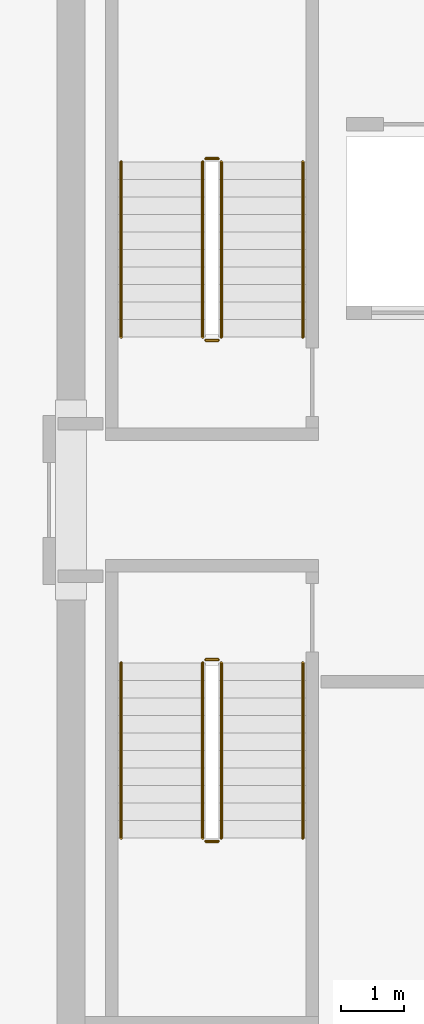
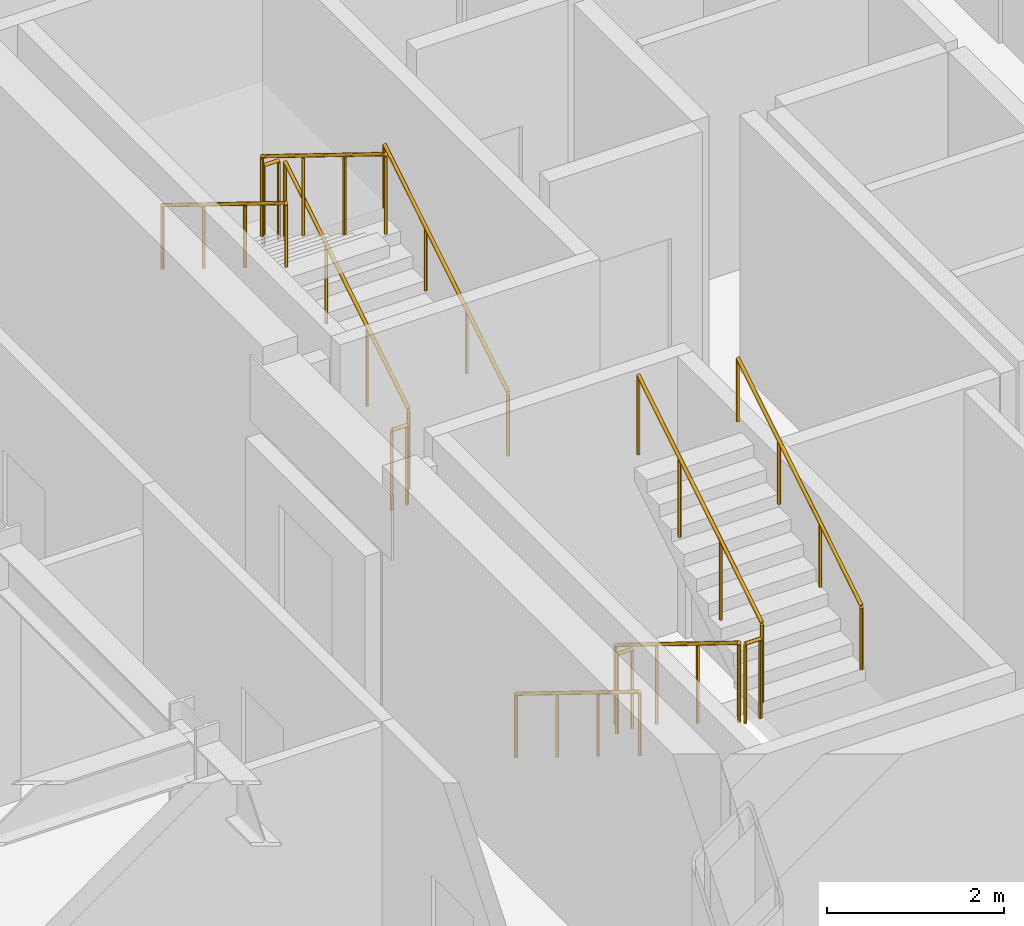
# One storey, part 16 of 18: 12 railings.
"""IFC4 building model written with IfcOpenShell, lengths in metres."""

from ifc_helpers import new_model, si_unit, direction, frame, origin, origin_2d, place, context, subcontext, project, spatial, circle, extrude, material, type_object, element, save


model = new_model("IFC4")

# Units and contexts
model_context = context("Model", 3, precision=1e-05, world=origin(), true_north=direction((0.0, 1.0)))
body_context = subcontext(model_context, "Body", "Model", "MODEL_VIEW")
ifc_project = project(units=[si_unit("LENGTHUNIT", "METRE"), si_unit("AREAUNIT", "SQUARE_METRE"), si_unit("VOLUMEUNIT", "CUBIC_METRE"), si_unit("PLANEANGLEUNIT", "RADIAN"), si_unit("MASSUNIT", "GRAM", prefix="KILO")], contexts=[model_context])

# Site, building, storey
site_placement = place(None, origin())
site = spatial("IfcSite", under=ifc_project, at=site_placement, CompositionType="ELEMENT")
building_placement = place(site_placement, origin())
building = spatial("IfcBuilding", under=site, at=building_placement, Name="Nefas-Gora Pilgrimage Tower", CompositionType="ELEMENT")
storey_placement = place(building_placement, frame((0.0, 0.0, 298.800048828125)))
storey = spatial("IfcBuildingStorey", under=building, at=storey_placement, Name="L75", CompositionType="ELEMENT", Elevation=298.800048828125)

# Railings
ifc_material_1 = material(Name="Painted galvanised steel", Category="steel")
railing_type_1 = type_object("IfcRailingType", Name="RLG-STR-GUARD-1100", PredefinedType="GUARDRAIL", material=ifc_material_1)
railing_1_placement = place(storey_placement, frame((-8.85009765625, 2.60009765625, 0.172607421875)))
element("IfcRailing", 1, at=railing_1_placement, inside=storey, type_object=railing_type_1, Name="L75 ST-01 stair guard 1", PredefinedType="GUARDRAIL", context=body_context, shape_type="SweptSolid", body=[
    extrude(circle(Radius=0.02392578125, at=origin_2d()), frame((0.0, 0.0, 1.09619140625), z_axis=(0.0, 0.851069175582, 0.525053576669), x_axis=(-1.0, 0.0, 0.0)), (0.0, 0.0, 1.0), 3.289794921875),
    extrude(circle(Radius=0.02099609375, at=origin_2d()), origin(), (0.0, 0.0, 1.0), 1.072021484375),
    extrude(circle(Radius=0.02099609375, at=origin_2d()), frame((0.0, 0.933349609375, 0.57568359375)), (0.0, 0.0, 1.0), 1.072021484375),
    extrude(circle(Radius=0.02099609375, at=origin_2d()), frame((0.0, 1.866455078125, 1.151611328125)), (0.0, 0.0, 1.0), 1.072021484375),
    extrude(circle(Radius=0.02099609375, at=origin_2d()), frame((0.0, 2.7998046875, 1.727294921875)), (0.0, 0.0, 1.0), 1.072021484375),
])
railing_2_placement = place(storey_placement, frame((-8.89990234375, 5.449951171875, 1.89990234375)))
element("IfcRailing", 2, at=railing_2_placement, inside=storey, type_object=railing_type_1, Name="L75 ST-01 stair guard 2", PredefinedType="GUARDRAIL", context=body_context, shape_type="SweptSolid", body=[
    extrude(circle(Radius=0.02392578125, at=origin_2d()), frame((0.0, 0.0, 1.09619140625), z_axis=(-1.0, 0.0, 0.0), x_axis=(0.0, -1.0, 0.0)), (0.0, 0.0, 1.0), 0.2001953125),
    extrude(circle(Radius=0.02099609375, at=origin_2d()), origin(), (0.0, 0.0, 1.0), 1.072021484375),
    extrude(circle(Radius=0.02099609375, at=origin_2d()), frame((-0.2001953125, 0.0, 0.0)), (0.0, 0.0, 1.0), 1.072021484375),
])
railing_3_placement = place(storey_placement, frame((-9.14990234375, 5.39990234375, 2.07275390625)))
element("IfcRailing", 3, at=railing_3_placement, inside=storey, type_object=railing_type_1, Name="L75 ST-01 stair guard 3", PredefinedType="GUARDRAIL", context=body_context, shape_type="SweptSolid", body=[
    extrude(circle(Radius=0.02392578125, at=origin_2d()), frame((0.0, 0.0, 1.09619140625), z_axis=(0.0, -0.851069175582, 0.525053576669), x_axis=(1.0, 0.0, 0.0)), (0.0, 0.0, 1.0), 3.289794921875),
    extrude(circle(Radius=0.02099609375, at=origin_2d()), origin(), (0.0, 0.0, 1.0), 1.072021484375),
    extrude(circle(Radius=0.02099609375, at=origin_2d()), frame((0.0, -0.933349609375, 0.57568359375)), (0.0, 0.0, 1.0), 1.072021484375),
    extrude(circle(Radius=0.02099609375, at=origin_2d()), frame((0.0, -1.866455078125, 1.151611328125)), (0.0, 0.0, 1.0), 1.072021484375),
    extrude(circle(Radius=0.02099609375, at=origin_2d()), frame((0.0, -2.7998046875, 1.727294921875)), (0.0, 0.0, 1.0), 1.072021484375),
])
railing_4_placement = place(storey_placement, frame((-8.89990234375, 2.550048828125, 0.0)))
element("IfcRailing", 4, at=railing_4_placement, inside=storey, type_object=railing_type_1, Name="L75 ST-01 stair guard 4", PredefinedType="GUARDRAIL", context=body_context, shape_type="SweptSolid", body=[
    extrude(circle(Radius=0.02392578125, at=origin_2d()), frame((0.0, 0.0, 1.09619140625), z_axis=(-1.0, 0.0, 0.0), x_axis=(0.0, -1.0, 0.0)), (0.0, 0.0, 1.0), 0.2001953125),
    extrude(circle(Radius=0.02099609375, at=origin_2d()), origin(), (0.0, 0.0, 1.0), 1.072021484375),
    extrude(circle(Radius=0.02099609375, at=origin_2d()), frame((-0.2001953125, 0.0, 0.0)), (0.0, 0.0, 1.0), 1.072021484375),
])
railing_5_placement = place(storey_placement, frame((-9.14990234375, -2.60009765625, 0.172607421875)))
element("IfcRailing", 5, at=railing_5_placement, inside=storey, type_object=railing_type_1, Name="L75 ST-03 stair guard 1", PredefinedType="GUARDRAIL", context=body_context, shape_type="SweptSolid", body=[
    extrude(circle(Radius=0.02392578125, at=origin_2d()), frame((0.0, 0.0, 1.09619140625), z_axis=(0.0, -0.851069175582, 0.525053576669), x_axis=(1.0, 0.0, 0.0)), (0.0, 0.0, 1.0), 3.289794921875),
    extrude(circle(Radius=0.02099609375, at=origin_2d()), origin(), (0.0, 0.0, 1.0), 1.072021484375),
    extrude(circle(Radius=0.02099609375, at=origin_2d()), frame((0.0, -0.933349609375, 0.57568359375)), (0.0, 0.0, 1.0), 1.072021484375),
    extrude(circle(Radius=0.02099609375, at=origin_2d()), frame((0.0, -1.866455078125, 1.151611328125)), (0.0, 0.0, 1.0), 1.072021484375),
    extrude(circle(Radius=0.02099609375, at=origin_2d()), frame((0.0, -2.7998046875, 1.727294921875)), (0.0, 0.0, 1.0), 1.072021484375),
])
railing_6_placement = place(storey_placement, frame((-9.10009765625, -5.449951171875, 1.89990234375)))
element("IfcRailing", 6, at=railing_6_placement, inside=storey, type_object=railing_type_1, Name="L75 ST-03 stair guard 2", PredefinedType="GUARDRAIL", context=body_context, shape_type="SweptSolid", body=[
    extrude(circle(Radius=0.02392578125, at=origin_2d()), frame((0.0, 0.0, 1.09619140625), z_axis=(1.0, 0.0, 0.0), x_axis=(0.0, 1.0, 0.0)), (0.0, 0.0, 1.0), 0.2001953125),
    extrude(circle(Radius=0.02099609375, at=origin_2d()), origin(), (0.0, 0.0, 1.0), 1.072021484375),
    extrude(circle(Radius=0.02099609375, at=origin_2d()), frame((0.2001953125, 0.0, 0.0)), (0.0, 0.0, 1.0), 1.072021484375),
])
railing_7_placement = place(storey_placement, frame((-8.85009765625, -5.39990234375, 2.07275390625)))
element("IfcRailing", 7, at=railing_7_placement, inside=storey, type_object=railing_type_1, Name="L75 ST-03 stair guard 3", PredefinedType="GUARDRAIL", context=body_context, shape_type="SweptSolid", body=[
    extrude(circle(Radius=0.02392578125, at=origin_2d()), frame((0.0, 0.0, 1.09619140625), z_axis=(0.0, 0.851069175582, 0.525053576669), x_axis=(-1.0, 0.0, 0.0)), (0.0, 0.0, 1.0), 3.289794921875),
    extrude(circle(Radius=0.02099609375, at=origin_2d()), origin(), (0.0, 0.0, 1.0), 1.072021484375),
    extrude(circle(Radius=0.02099609375, at=origin_2d()), frame((0.0, 0.933349609375, 0.57568359375)), (0.0, 0.0, 1.0), 1.072021484375),
    extrude(circle(Radius=0.02099609375, at=origin_2d()), frame((0.0, 1.866455078125, 1.151611328125)), (0.0, 0.0, 1.0), 1.072021484375),
    extrude(circle(Radius=0.02099609375, at=origin_2d()), frame((0.0, 2.7998046875, 1.727294921875)), (0.0, 0.0, 1.0), 1.072021484375),
])
railing_8_placement = place(storey_placement, frame((-9.10009765625, -2.550048828125, 0.0)))
element("IfcRailing", 8, at=railing_8_placement, inside=storey, type_object=railing_type_1, Name="L75 ST-03 stair guard 4", PredefinedType="GUARDRAIL", context=body_context, shape_type="SweptSolid", body=[
    extrude(circle(Radius=0.02392578125, at=origin_2d()), frame((0.0, 0.0, 1.09619140625), z_axis=(1.0, 0.0, 0.0), x_axis=(0.0, 1.0, 0.0)), (0.0, 0.0, 1.0), 0.2001953125),
    extrude(circle(Radius=0.02099609375, at=origin_2d()), origin(), (0.0, 0.0, 1.0), 1.072021484375),
    extrude(circle(Radius=0.02099609375, at=origin_2d()), frame((0.2001953125, 0.0, 0.0)), (0.0, 0.0, 1.0), 1.072021484375),
])
ifc_material_2 = material(Name="Brushed stainless steel", Category="steel")
railing_type_2 = type_object("IfcRailingType", Name="RLG-STR-HAND-900", PredefinedType="HANDRAIL", material=ifc_material_2)
railing_9_placement = place(storey_placement, frame((-7.550048828125, 2.60009765625, 0.172607421875)))
element("IfcRailing", 9, at=railing_9_placement, inside=storey, type_object=railing_type_2, Name="L75 ST-01 stair handrail 1", PredefinedType="HANDRAIL", context=body_context, shape_type="SweptSolid", body=[
    extrude(circle(Radius=0.02392578125, at=origin_2d()), frame((0.0, 0.0, 0.8759765625), z_axis=(0.0, 0.851069175582, 0.525053576669), x_axis=(-1.0, 0.0, 0.0)), (0.0, 0.0, 1.0), 3.289794921875),
    extrude(circle(Radius=0.02099609375, at=origin_2d()), origin(), (0.0, 0.0, 1.0), 0.851806640625),
    extrude(circle(Radius=0.02099609375, at=origin_2d()), frame((0.0, 0.933349609375, 0.57568359375)), (0.0, 0.0, 1.0), 0.851806640625),
    extrude(circle(Radius=0.02099609375, at=origin_2d()), frame((0.0, 1.866455078125, 1.151611328125)), (0.0, 0.0, 1.0), 0.851806640625),
    extrude(circle(Radius=0.02099609375, at=origin_2d()), frame((0.0, 2.7998046875, 1.727294921875)), (0.0, 0.0, 1.0), 0.851806640625),
])
for number, where, name in (
    (10, (-10.449951171875, 5.39990234375, 2.07275390625), "L75 ST-01 stair handrail 2"),
    (11, (-10.449951171875, -2.60009765625, 0.172607421875), "L75 ST-03 stair handrail 1"),
):
    element("IfcRailing", number, at=place(storey_placement, frame(where)), inside=storey, type_object=railing_type_2, Name=name, PredefinedType="HANDRAIL", context=body_context, shape_type="SweptSolid", body=[
        extrude(circle(Radius=0.02392578125, at=origin_2d()), frame((0.0, 0.0, 0.8759765625), z_axis=(0.0, -0.851069175582, 0.525053576669), x_axis=(1.0, 0.0, 0.0)), (0.0, 0.0, 1.0), 3.289794921875),
        extrude(circle(Radius=0.02099609375, at=origin_2d()), origin(), (0.0, 0.0, 1.0), 0.851806640625),
        extrude(circle(Radius=0.02099609375, at=origin_2d()), frame((0.0, -0.933349609375, 0.57568359375)), (0.0, 0.0, 1.0), 0.851806640625),
        extrude(circle(Radius=0.02099609375, at=origin_2d()), frame((0.0, -1.866455078125, 1.151611328125)), (0.0, 0.0, 1.0), 0.851806640625),
        extrude(circle(Radius=0.02099609375, at=origin_2d()), frame((0.0, -2.7998046875, 1.727294921875)), (0.0, 0.0, 1.0), 0.851806640625),
    ])
railing_10_placement = place(storey_placement, frame((-7.550048828125, -5.39990234375, 2.07275390625)))
element("IfcRailing", 12, at=railing_10_placement, inside=storey, type_object=railing_type_2, Name="L75 ST-03 stair handrail 2", PredefinedType="HANDRAIL", context=body_context, shape_type="SweptSolid", body=[
    extrude(circle(Radius=0.02392578125, at=origin_2d()), frame((0.0, 0.0, 0.8759765625), z_axis=(0.0, 0.851069175582, 0.525053576669), x_axis=(-1.0, 0.0, 0.0)), (0.0, 0.0, 1.0), 3.289794921875),
    extrude(circle(Radius=0.02099609375, at=origin_2d()), origin(), (0.0, 0.0, 1.0), 0.851806640625),
    extrude(circle(Radius=0.02099609375, at=origin_2d()), frame((0.0, 0.933349609375, 0.57568359375)), (0.0, 0.0, 1.0), 0.851806640625),
    extrude(circle(Radius=0.02099609375, at=origin_2d()), frame((0.0, 1.866455078125, 1.151611328125)), (0.0, 0.0, 1.0), 0.851806640625),
    extrude(circle(Radius=0.02099609375, at=origin_2d()), frame((0.0, 2.7998046875, 1.727294921875)), (0.0, 0.0, 1.0), 0.851806640625),
])

save(model, "model.ifc")
